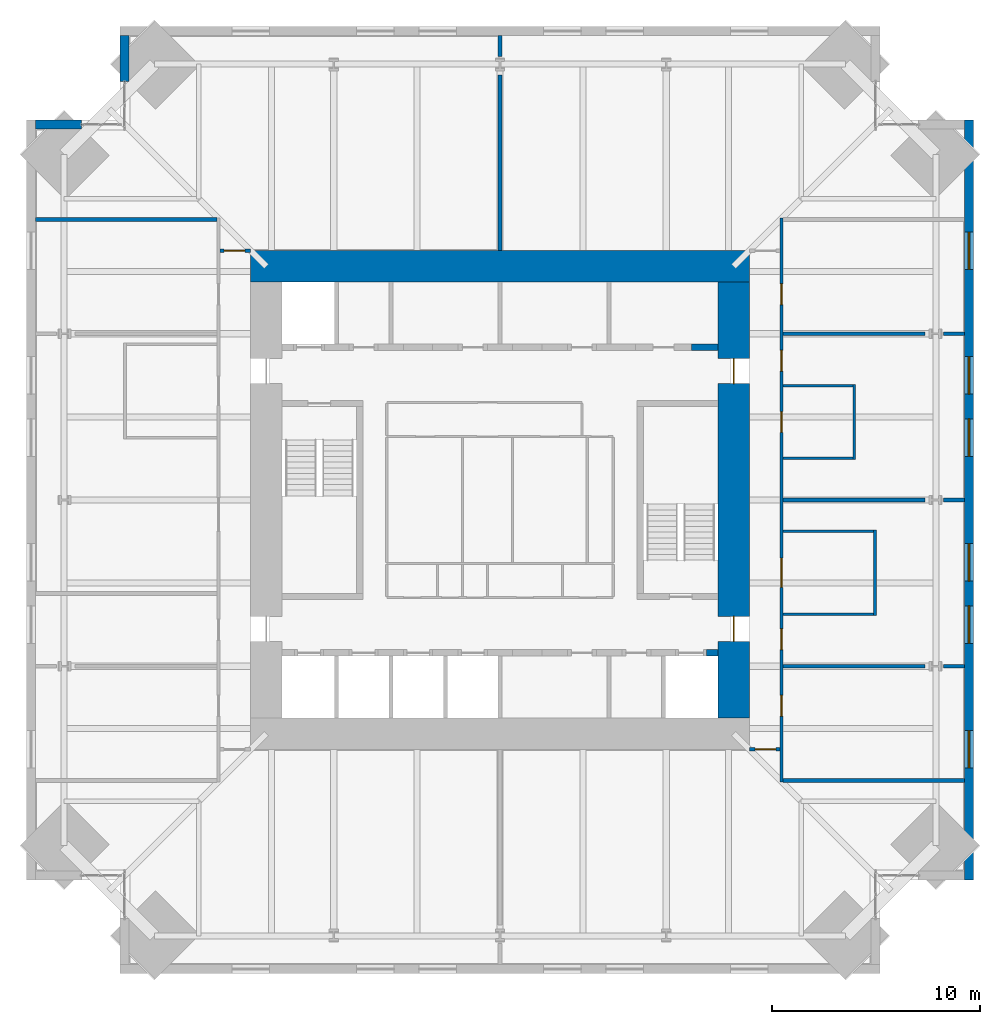
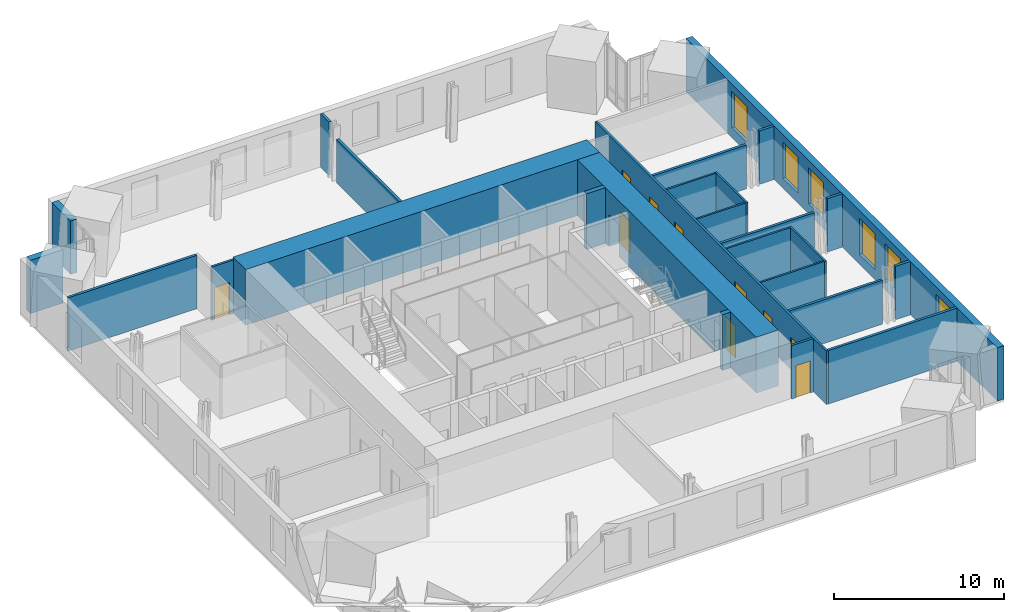
# One storey, part 13 of 15: 26 walls, 10 doors, 6 windows, 16 openings.
"""IFC4 building model written with IfcOpenShell, lengths in metres."""

from ifc_helpers import new_model, si_unit, direction, frame, frame_2d, origin, place, context, subcontext, project, spatial, rectangle, extrude, material, layer, layer_set, type_object, element, fill, save


model = new_model("IFC4")

# Units and contexts
model_context = context("Model", 3, precision=1e-05, world=origin(), true_north=direction((0.0, 1.0)))
body_context = subcontext(model_context, "Body", "Model", "MODEL_VIEW")
ifc_project = project(units=[si_unit("LENGTHUNIT", "METRE"), si_unit("AREAUNIT", "SQUARE_METRE"), si_unit("VOLUMEUNIT", "CUBIC_METRE"), si_unit("PLANEANGLEUNIT", "RADIAN"), si_unit("MASSUNIT", "GRAM", prefix="KILO")], contexts=[model_context])

# Site, building, storey
site_placement = place(None, origin())
site = spatial("IfcSite", under=ifc_project, at=site_placement, CompositionType="ELEMENT")
building_placement = place(site_placement, origin())
building = spatial("IfcBuilding", under=site, at=building_placement, Name="Peilmerk Tower", CompositionType="ELEMENT")
storey_placement = place(building_placement, frame((0.0, 0.0, 245.800048828125)))
storey = spatial("IfcBuildingStorey", under=building, at=storey_placement, Name="L54", CompositionType="ELEMENT", Elevation=245.800048828125)

# Wall, openings, windows
ifc_material_1 = material(Name="Precast concrete C45/55, board-marked finish", Category="concrete")
ifc_layer_1 = layer(ifc_material_1, 0.449951171875)
ifc_layer_set_1 = layer_set([ifc_layer_1], Name="Precast concrete C45/55, board-marked finish")
wall_type_1 = type_object("IfcWallType", Name="EW1 450 precast concrete facade wall, board-marked", PredefinedType="SOLIDWALL", material=ifc_layer_set_1)
wall_1_placement = place(storey_placement, frame((22.574951171875, -18.300048828125, 0.0), z_axis=(0.0, 0.0, 1.0), x_axis=(0.0, 1.0, 0.0)))
wall_1 = element("IfcWall", 1, at=wall_1_placement, inside=storey, type_object=wall_type_1, Name="Facade wall E L54", PredefinedType="SOLIDWALL", context=body_context, shape_type="SweptSolid", body=[
    extrude(rectangle(XDim=36.60009765625, YDim=0.449951171875, at=frame_2d((18.300048828125, 0.0))), origin(), (0.0, 0.0, 1.0), 3.829833984375),
])
opening_1_placement = place(wall_1_placement, frame((5.39990234375, 0.0, 0.699951171875)))
opening_1 = element("IfcOpeningElement", 2, at=opening_1_placement, cuts=wall_1, Name="Opening W1", PredefinedType="OPENING", context=body_context, shape_type="SweptSolid", body=[
    extrude(rectangle(XDim=1.800048828125, YDim=2.60009765625, at=frame_2d((0.89990234375, 1.300048828125))), frame((0.0, 0.23486328125, 0.0), z_axis=(0.0, -1.0, 0.0), x_axis=(1.0, 0.0, 0.0)), (0.0, 0.0, 1.0), 0.469970703125),
])
opening_2_placement = place(wall_1_placement, frame((11.39990234375, 0.0, 0.699951171875)))
opening_2 = element("IfcOpeningElement", 3, at=opening_2_placement, cuts=wall_1, Name="Opening W1", PredefinedType="OPENING", context=body_context, shape_type="SweptSolid", body=[
    extrude(rectangle(XDim=1.800048828125, YDim=2.60009765625, at=frame_2d((0.89990234375, 1.300048828125))), frame((0.0, 0.23486328125, 0.0), z_axis=(0.0, -1.0, 0.0), x_axis=(1.0, 0.0, 0.0)), (0.0, 0.0, 1.0), 0.469970703125),
])
opening_3_placement = place(wall_1_placement, frame((14.39990234375, 0.0, 0.699951171875)))
opening_3 = element("IfcOpeningElement", 4, at=opening_3_placement, cuts=wall_1, Name="Opening W1", PredefinedType="OPENING", context=body_context, shape_type="SweptSolid", body=[
    extrude(rectangle(XDim=1.800048828125, YDim=2.60009765625, at=frame_2d((0.89990234375, 1.300048828125))), frame((0.0, 0.23486328125, 0.0), z_axis=(0.0, -1.0, 0.0), x_axis=(1.0, 0.0, 0.0)), (0.0, 0.0, 1.0), 0.469970703125),
])
opening_4_placement = place(wall_1_placement, frame((20.39990234375, 0.0, 0.699951171875)))
opening_4 = element("IfcOpeningElement", 5, at=opening_4_placement, cuts=wall_1, Name="Opening W1", PredefinedType="OPENING", context=body_context, shape_type="SweptSolid", body=[
    extrude(rectangle(XDim=1.800048828125, YDim=2.60009765625, at=frame_2d((0.89990234375, 1.300048828125))), frame((0.0, 0.23486328125, 0.0), z_axis=(0.0, -1.0, 0.0), x_axis=(1.0, 0.0, 0.0)), (0.0, 0.0, 1.0), 0.469970703125),
])
opening_5_placement = place(wall_1_placement, frame((23.39990234375, 0.0, 0.699951171875)))
opening_5 = element("IfcOpeningElement", 6, at=opening_5_placement, cuts=wall_1, Name="Opening W1", PredefinedType="OPENING", context=body_context, shape_type="SweptSolid", body=[
    extrude(rectangle(XDim=1.800048828125, YDim=2.60009765625, at=frame_2d((0.89990234375, 1.300048828125))), frame((0.0, 0.23486328125, 0.0), z_axis=(0.0, -1.0, 0.0), x_axis=(1.0, 0.0, 0.0)), (0.0, 0.0, 1.0), 0.469970703125),
])
opening_6_placement = place(wall_1_placement, frame((29.39990234375, 0.0, 0.699951171875)))
opening_6 = element("IfcOpeningElement", 7, at=opening_6_placement, cuts=wall_1, Name="Opening W1", PredefinedType="OPENING", context=body_context, shape_type="SweptSolid", body=[
    extrude(rectangle(XDim=1.800048828125, YDim=2.60009765625, at=frame_2d((0.89990234375, 1.300048828125))), frame((0.0, 0.23486328125, 0.0), z_axis=(0.0, -1.0, 0.0), x_axis=(1.0, 0.0, 0.0)), (0.0, 0.0, 1.0), 0.469970703125),
])
ifc_material_2 = material(Name="Aluminium frame, clear double glazing", Category="aluminium")
window_type = type_object("IfcWindowType", Name="W1 1800x2600 office window", PartitioningType="SINGLE_PANEL", PredefinedType="WINDOW", material=ifc_material_2)
window_1_placement = place(opening_1_placement, origin())
window_1 = element("IfcWindow", 8, at=window_1_placement, inside=storey, type_object=window_type, Name="Window W1 L54", OverallHeight=2.60009765625, OverallWidth=1.800048828125, PartitioningType="SINGLE_PANEL", PredefinedType="WINDOW", context=body_context, shape_type="SweptSolid", body=[
    extrude(rectangle(XDim=1.800048828125, YDim=2.60009765625, at=frame_2d((0.89990234375, 1.300048828125))), frame((0.0, 0.030029296875, 0.0), z_axis=(0.0, -1.0, 0.0), x_axis=(1.0, 0.0, 0.0)), (0.0, 0.0, 1.0), 0.06005859375),
])
fill(opening_1, window_1)
window_2_placement = place(opening_2_placement, origin())
window_2 = element("IfcWindow", 9, at=window_2_placement, inside=storey, type_object=window_type, Name="Window W1 L54", OverallHeight=2.60009765625, OverallWidth=1.800048828125, PartitioningType="SINGLE_PANEL", PredefinedType="WINDOW", context=body_context, shape_type="SweptSolid", body=[
    extrude(rectangle(XDim=1.800048828125, YDim=2.60009765625, at=frame_2d((0.89990234375, 1.300048828125))), frame((0.0, 0.030029296875, 0.0), z_axis=(0.0, -1.0, 0.0), x_axis=(1.0, 0.0, 0.0)), (0.0, 0.0, 1.0), 0.06005859375),
])
fill(opening_2, window_2)
window_3_placement = place(opening_3_placement, origin())
window_3 = element("IfcWindow", 10, at=window_3_placement, inside=storey, type_object=window_type, Name="Window W1 L54", OverallHeight=2.60009765625, OverallWidth=1.800048828125, PartitioningType="SINGLE_PANEL", PredefinedType="WINDOW", context=body_context, shape_type="SweptSolid", body=[
    extrude(rectangle(XDim=1.800048828125, YDim=2.60009765625, at=frame_2d((0.89990234375, 1.300048828125))), frame((0.0, 0.030029296875, 0.0), z_axis=(0.0, -1.0, 0.0), x_axis=(1.0, 0.0, 0.0)), (0.0, 0.0, 1.0), 0.06005859375),
])
fill(opening_3, window_3)
window_4_placement = place(opening_4_placement, origin())
window_4 = element("IfcWindow", 11, at=window_4_placement, inside=storey, type_object=window_type, Name="Window W1 L54", OverallHeight=2.60009765625, OverallWidth=1.800048828125, PartitioningType="SINGLE_PANEL", PredefinedType="WINDOW", context=body_context, shape_type="SweptSolid", body=[
    extrude(rectangle(XDim=1.800048828125, YDim=2.60009765625, at=frame_2d((0.89990234375, 1.300048828125))), frame((0.0, 0.030029296875, 0.0), z_axis=(0.0, -1.0, 0.0), x_axis=(1.0, 0.0, 0.0)), (0.0, 0.0, 1.0), 0.06005859375),
])
fill(opening_4, window_4)
window_5_placement = place(opening_5_placement, origin())
window_5 = element("IfcWindow", 12, at=window_5_placement, inside=storey, type_object=window_type, Name="Window W1 L54", OverallHeight=2.60009765625, OverallWidth=1.800048828125, PartitioningType="SINGLE_PANEL", PredefinedType="WINDOW", context=body_context, shape_type="SweptSolid", body=[
    extrude(rectangle(XDim=1.800048828125, YDim=2.60009765625, at=frame_2d((0.89990234375, 1.300048828125))), frame((0.0, 0.030029296875, 0.0), z_axis=(0.0, -1.0, 0.0), x_axis=(1.0, 0.0, 0.0)), (0.0, 0.0, 1.0), 0.06005859375),
])
fill(opening_5, window_5)
window_6_placement = place(opening_6_placement, origin())
window_6 = element("IfcWindow", 13, at=window_6_placement, inside=storey, type_object=window_type, Name="Window W1 L54", OverallHeight=2.60009765625, OverallWidth=1.800048828125, PartitioningType="SINGLE_PANEL", PredefinedType="WINDOW", context=body_context, shape_type="SweptSolid", body=[
    extrude(rectangle(XDim=1.800048828125, YDim=2.60009765625, at=frame_2d((0.89990234375, 1.300048828125))), frame((0.0, 0.030029296875, 0.0), z_axis=(0.0, -1.0, 0.0), x_axis=(1.0, 0.0, 0.0)), (0.0, 0.0, 1.0), 0.06005859375),
])
fill(opening_6, window_6)

# Walls
for number, where, z_axis, x_axis, name in (
    (14, (-18.074951171875, 20.153564453125, 0.0), (0.0, 0.0, 1.0), (0.0, 1.0, 0.0), "Facade wall NWA L54"),
    (15, (-20.153564453125, 18.074951171875, 0.0), (0.0, 0.0, 1.0), (-1.0, 0.0, 0.0), "Facade wall NWB L54"),
):
    element("IfcWall", number, at=place(storey_placement, frame(where, z_axis=z_axis, x_axis=x_axis)), inside=storey, type_object=wall_type_1, Name=name, PredefinedType="SOLIDWALL", context=body_context, shape_type="SweptSolid", body=[
        extrude(rectangle(XDim=2.196533203125, YDim=0.449951171875, at=frame_2d((1.09814453125, 0.0))), origin(), (0.0, 0.0, 1.0), 3.829833984375),
    ])

# Wall, openings, doors
ifc_material_3 = material(Name="Calcium silicate block", Category="masonry")
ifc_layer_2 = layer(ifc_material_3, 0.14990234375)
ifc_layer_set_2 = layer_set([ifc_layer_2], Name="Calcium silicate block")
wall_type_2 = type_object("IfcWallType", Name="IW1 150 corridor partition, EI 60", PredefinedType="PARTITIONING", material=ifc_layer_set_2)
wall_2_placement = place(storey_placement, frame((13.550048828125, -13.574951171875, 0.0), z_axis=(0.0, 0.0, 1.0), x_axis=(0.0, 1.0, 0.0)))
wall_2 = element("IfcWall", 16, at=wall_2_placement, inside=storey, type_object=wall_type_2, Name="Corridor wall E L54", PredefinedType="PARTITIONING", context=body_context, shape_type="SweptSolid", body=[
    extrude(rectangle(XDim=27.14990234375, YDim=0.14990234375, at=frame_2d((13.574951171875, 0.0))), origin(), (0.0, 0.0, 1.0), 3.829833984375),
])
opening_7_placement = place(wall_2_placement, frame((3.175048828125, 0.0, 0.0)))
opening_7 = element("IfcOpeningElement", 17, at=opening_7_placement, cuts=wall_2, Name="Opening D1", PredefinedType="OPENING", context=body_context, shape_type="SweptSolid", body=[
    extrude(rectangle(XDim=1.0, YDim=2.300048828125, at=frame_2d((0.5, 1.14990234375))), frame((0.0, 0.0849609375, 0.0), z_axis=(0.0, -1.0, 0.0), x_axis=(1.0, 0.0, 0.0)), (0.0, 0.0, 1.0), 0.169921875),
])
opening_8_placement = place(wall_2_placement, frame((6.375, 0.0, 0.0)))
opening_8 = element("IfcOpeningElement", 18, at=opening_8_placement, cuts=wall_2, Name="Opening D1", PredefinedType="OPENING", context=body_context, shape_type="SweptSolid", body=[
    extrude(rectangle(XDim=1.0, YDim=2.300048828125, at=frame_2d((0.5, 1.14990234375))), frame((0.0, 0.0849609375, 0.0), z_axis=(0.0, -1.0, 0.0), x_axis=(1.0, 0.0, 0.0)), (0.0, 0.0, 1.0), 0.169921875),
])
opening_9_placement = place(wall_2_placement, frame((19.77490234375, 0.0, 0.0)))
opening_9 = element("IfcOpeningElement", 19, at=opening_9_placement, cuts=wall_2, Name="Opening D1", PredefinedType="OPENING", context=body_context, shape_type="SweptSolid", body=[
    extrude(rectangle(XDim=1.0, YDim=2.300048828125, at=frame_2d((0.5, 1.14990234375))), frame((0.0, 0.0849609375, 0.0), z_axis=(0.0, -1.0, 0.0), x_axis=(1.0, 0.0, 0.0)), (0.0, 0.0, 1.0), 0.169921875),
])
opening_10_placement = place(wall_2_placement, frame((22.97509765625, 0.0, 0.0)))
opening_10 = element("IfcOpeningElement", 20, at=opening_10_placement, cuts=wall_2, Name="Opening D1", PredefinedType="OPENING", context=body_context, shape_type="SweptSolid", body=[
    extrude(rectangle(XDim=1.0, YDim=2.300048828125, at=frame_2d((0.5, 1.14990234375))), frame((0.0, 0.0849609375, 0.0), z_axis=(0.0, -1.0, 0.0), x_axis=(1.0, 0.0, 0.0)), (0.0, 0.0, 1.0), 0.169921875),
])
opening_11_placement = place(wall_2_placement, frame((16.824951171875, 0.0, 0.0)))
opening_11 = element("IfcOpeningElement", 21, at=opening_11_placement, cuts=wall_2, Name="Opening D1", PredefinedType="OPENING", context=body_context, shape_type="SweptSolid", body=[
    extrude(rectangle(XDim=1.0, YDim=2.300048828125, at=frame_2d((0.5, 1.14990234375))), frame((0.0, 0.0849609375, 0.0), z_axis=(0.0, -1.0, 0.0), x_axis=(1.0, 0.0, 0.0)), (0.0, 0.0, 1.0), 0.169921875),
])
opening_12_placement = place(wall_2_placement, frame((9.375, 0.0, 0.0)))
opening_12 = element("IfcOpeningElement", 22, at=opening_12_placement, cuts=wall_2, Name="Opening D8", PredefinedType="OPENING", context=body_context, shape_type="SweptSolid", body=[
    extrude(rectangle(XDim=1.39990234375, YDim=2.300048828125, at=frame_2d((0.699951171875, 1.14990234375))), frame((0.0, 0.0849609375, 0.0), z_axis=(0.0, -1.0, 0.0), x_axis=(1.0, 0.0, 0.0)), (0.0, 0.0, 1.0), 0.169921875),
])
ifc_material_4 = material(Name="Timber door in steel frame", Category="steel")
door_type_1 = type_object("IfcDoorType", Name="D1 1000x2300 room door, EI2 30", OperationType="SINGLE_SWING_LEFT", PredefinedType="DOOR", material=ifc_material_4)
door_1_placement = place(opening_7_placement, frame((1.0, 0.0, 0.0), z_axis=(0.0, 0.0, 1.0), x_axis=(-1.0, 0.0, 0.0)))
door_1 = element("IfcDoor", 23, at=door_1_placement, inside=storey, type_object=door_type_1, Name="Door Office L54", OperationType="SINGLE_SWING_LEFT", OverallHeight=2.300048828125, OverallWidth=1.0, PredefinedType="DOOR", context=body_context, shape_type="SweptSolid", body=[
    extrude(rectangle(XDim=1.0, YDim=2.300048828125, at=frame_2d((0.5, 1.14990234375))), frame((0.0, 0.02490234375, 0.0), z_axis=(0.0, -1.0, 0.0), x_axis=(1.0, 0.0, 0.0)), (0.0, 0.0, 1.0), 0.050048828125),
])
fill(opening_7, door_1)
door_2_placement = place(opening_8_placement, frame((1.0, 0.0, 0.0), z_axis=(0.0, 0.0, 1.0), x_axis=(-1.0, 0.0, 0.0)))
door_2 = element("IfcDoor", 24, at=door_2_placement, inside=storey, type_object=door_type_1, Name="Door Office L54", OperationType="SINGLE_SWING_LEFT", OverallHeight=2.300048828125, OverallWidth=1.0, PredefinedType="DOOR", context=body_context, shape_type="SweptSolid", body=[
    extrude(rectangle(XDim=1.0, YDim=2.300048828125, at=frame_2d((0.5, 1.14990234375))), frame((0.0, 0.02490234375, 0.0), z_axis=(0.0, -1.0, 0.0), x_axis=(1.0, 0.0, 0.0)), (0.0, 0.0, 1.0), 0.050048828125),
])
fill(opening_8, door_2)
door_3_placement = place(opening_9_placement, frame((1.0, 0.0, 0.0), z_axis=(0.0, 0.0, 1.0), x_axis=(-1.0, 0.0, 0.0)))
door_3 = element("IfcDoor", 25, at=door_3_placement, inside=storey, type_object=door_type_1, Name="Door Office L54", OperationType="SINGLE_SWING_LEFT", OverallHeight=2.300048828125, OverallWidth=1.0, PredefinedType="DOOR", context=body_context, shape_type="SweptSolid", body=[
    extrude(rectangle(XDim=1.0, YDim=2.300048828125, at=frame_2d((0.5, 1.14990234375))), frame((0.0, 0.02490234375, 0.0), z_axis=(0.0, -1.0, 0.0), x_axis=(1.0, 0.0, 0.0)), (0.0, 0.0, 1.0), 0.050048828125),
])
fill(opening_9, door_3)
door_4_placement = place(opening_10_placement, frame((1.0, 0.0, 0.0), z_axis=(0.0, 0.0, 1.0), x_axis=(-1.0, 0.0, 0.0)))
door_4 = element("IfcDoor", 26, at=door_4_placement, inside=storey, type_object=door_type_1, Name="Door Meeting room L54", OperationType="SINGLE_SWING_LEFT", OverallHeight=2.300048828125, OverallWidth=1.0, PredefinedType="DOOR", context=body_context, shape_type="SweptSolid", body=[
    extrude(rectangle(XDim=1.0, YDim=2.300048828125, at=frame_2d((0.5, 1.14990234375))), frame((0.0, 0.02490234375, 0.0), z_axis=(0.0, -1.0, 0.0), x_axis=(1.0, 0.0, 0.0)), (0.0, 0.0, 1.0), 0.050048828125),
])
fill(opening_10, door_4)
door_5_placement = place(opening_11_placement, frame((1.0, 0.0, 0.0), z_axis=(0.0, 0.0, 1.0), x_axis=(-1.0, 0.0, 0.0)))
door_5 = element("IfcDoor", 27, at=door_5_placement, inside=storey, type_object=door_type_1, Name="Door Pantry L54", OperationType="SINGLE_SWING_LEFT", OverallHeight=2.300048828125, OverallWidth=1.0, PredefinedType="DOOR", context=body_context, shape_type="SweptSolid", body=[
    extrude(rectangle(XDim=1.0, YDim=2.300048828125, at=frame_2d((0.5, 1.14990234375))), frame((0.0, 0.02490234375, 0.0), z_axis=(0.0, -1.0, 0.0), x_axis=(1.0, 0.0, 0.0)), (0.0, 0.0, 1.0), 0.050048828125),
])
fill(opening_11, door_5)
door_type_2 = type_object("IfcDoorType", Name="D8 1400x2300 leaf-and-a-half door, EI2 30", OperationType="DOUBLE_DOOR_SINGLE_SWING", PredefinedType="DOOR", material=ifc_material_4)
door_6_placement = place(opening_12_placement, frame((1.39990234375, 0.0, 0.0), z_axis=(0.0, 0.0, 1.0), x_axis=(-1.0, 0.0, 0.0)))
door_6 = element("IfcDoor", 28, at=door_6_placement, inside=storey, type_object=door_type_2, Name="Door Briefing room L54", OperationType="DOUBLE_DOOR_SINGLE_SWING", OverallHeight=2.300048828125, OverallWidth=1.39990234375, PredefinedType="DOOR", context=body_context, shape_type="SweptSolid", body=[
    extrude(rectangle(XDim=1.39990234375, YDim=2.300048828125, at=frame_2d((0.699951171875, 1.14990234375))), frame((0.0, 0.02490234375, 0.0), z_axis=(0.0, -1.0, 0.0), x_axis=(1.0, 0.0, 0.0)), (0.0, 0.0, 1.0), 0.050048828125),
])
fill(opening_12, door_6)

# Wall, opening, door
wall_3_placement = place(storey_placement, frame((-13.47509765625, 12.0, 0.0), z_axis=(0.0, 0.0, 1.0), x_axis=(1.0, 0.0, 0.0)))
wall_3 = element("IfcWall", 29, at=wall_3_placement, inside=storey, type_object=wall_type_2, Name="Corridor wall NW L54", PredefinedType="PARTITIONING", context=body_context, shape_type="SweptSolid", body=[
    extrude(rectangle(XDim=1.47509765625, YDim=0.14990234375, at=frame_2d((0.737548828125, 0.0))), origin(), (0.0, 0.0, 1.0), 3.829833984375),
])
opening_13_placement = place(wall_3_placement, frame((0.199951171875, 0.0, 0.0)))
opening_13 = element("IfcOpeningElement", 30, at=opening_13_placement, cuts=wall_3, Name="Opening D1", PredefinedType="OPENING", context=body_context, shape_type="SweptSolid", body=[
    extrude(rectangle(XDim=1.0, YDim=2.300048828125, at=frame_2d((0.5, 1.14990234375))), frame((0.0, 0.0849609375, 0.0), z_axis=(0.0, -1.0, 0.0), x_axis=(1.0, 0.0, 0.0)), (0.0, 0.0, 1.0), 0.169921875),
])
door_7_placement = place(opening_13_placement, origin())
door_7 = element("IfcDoor", 31, at=door_7_placement, inside=storey, type_object=door_type_1, Name="Door Client suite L54", OperationType="SINGLE_SWING_LEFT", OverallHeight=2.300048828125, OverallWidth=1.0, PredefinedType="DOOR", context=body_context, shape_type="SweptSolid", body=[
    extrude(rectangle(XDim=1.0, YDim=2.300048828125, at=frame_2d((0.5, 1.14990234375))), frame((0.0, 0.02490234375, 0.0), z_axis=(0.0, -1.0, 0.0), x_axis=(1.0, 0.0, 0.0)), (0.0, 0.0, 1.0), 0.050048828125),
])
fill(opening_13, door_7)

wall_4_placement = place(storey_placement, frame((13.47509765625, -12.0, 0.0), z_axis=(0.0, 0.0, 1.0), x_axis=(-1.0, 0.0, 0.0)))
wall_4 = element("IfcWall", 32, at=wall_4_placement, inside=storey, type_object=wall_type_2, Name="Corridor wall SE L54", PredefinedType="PARTITIONING", context=body_context, shape_type="SweptSolid", body=[
    extrude(rectangle(XDim=1.47509765625, YDim=0.14990234375, at=frame_2d((0.737548828125, 0.0))), origin(), (0.0, 0.0, 1.0), 3.829833984375),
])
opening_14_placement = place(wall_4_placement, frame((0.199951171875, 0.0, 0.0)))
opening_14 = element("IfcOpeningElement", 33, at=opening_14_placement, cuts=wall_4, Name="Opening D1", PredefinedType="OPENING", context=body_context, shape_type="SweptSolid", body=[
    extrude(rectangle(XDim=1.0, YDim=2.300048828125, at=frame_2d((0.5, 1.14990234375))), frame((0.0, 0.0849609375, 0.0), z_axis=(0.0, -1.0, 0.0), x_axis=(1.0, 0.0, 0.0)), (0.0, 0.0, 1.0), 0.169921875),
])
door_8_placement = place(opening_14_placement, origin())
door_8 = element("IfcDoor", 34, at=door_8_placement, inside=storey, type_object=door_type_1, Name="Door Open workspace L54", OperationType="SINGLE_SWING_LEFT", OverallHeight=2.300048828125, OverallWidth=1.0, PredefinedType="DOOR", context=body_context, shape_type="SweptSolid", body=[
    extrude(rectangle(XDim=1.0, YDim=2.300048828125, at=frame_2d((0.5, 1.14990234375))), frame((0.0, 0.02490234375, 0.0), z_axis=(0.0, -1.0, 0.0), x_axis=(1.0, 0.0, 0.0)), (0.0, 0.0, 1.0), 0.050048828125),
])
fill(opening_14, door_8)

# Walls
ifc_material_5 = material(Name="Plasterboard on steel studs, double boarded with mineral wool", Category="steel")
ifc_layer_3 = layer(ifc_material_5, 0.125)
ifc_layer_set_3 = layer_set([ifc_layer_3], Name="Plasterboard on steel studs, double boarded with mineral wool")
wall_type_3 = type_object("IfcWallType", Name="IW7 125 acoustic partition, EI 30", PredefinedType="PARTITIONING", material=ifc_layer_set_3)
wall_5_placement = place(storey_placement, frame((17.050048828125, 1.9375, 0.0), z_axis=(0.0, 0.0, 1.0), x_axis=(0.0, 1.0, 0.0)))
element("IfcWall", 35, at=wall_5_placement, inside=storey, type_object=wall_type_3, Name="Acoustic partition Pantry L54", PredefinedType="PARTITIONING", context=body_context, shape_type="SweptSolid", body=[
    extrude(rectangle(XDim=3.625, YDim=0.125, at=frame_2d((1.8125, 0.0))), origin(), (0.0, 0.0, 1.0), 3.829833984375),
])
for number, where, z_axis, x_axis, name in (
    (36, (13.625, 2.0, 0.0), (0.0, 0.0, 1.0), (1.0, 0.0, 0.0), "Acoustic partition Pantry L54"),
    (37, (13.625, 5.5, 0.0), (0.0, 0.0, 1.0), (1.0, 0.0, 0.0), "Acoustic partition Pantry L54"),
):
    element("IfcWall", number, at=place(storey_placement, frame(where, z_axis=z_axis, x_axis=x_axis)), inside=storey, type_object=wall_type_3, Name=name, PredefinedType="PARTITIONING", context=body_context, shape_type="SweptSolid", body=[
        extrude(rectangle(XDim=3.362548828125, YDim=0.125, at=frame_2d((1.68115234375, 0.0))), origin(), (0.0, 0.0, 1.0), 3.829833984375),
    ])
wall_6_placement = place(storey_placement, frame((18.050048828125, -5.5625, 0.0), z_axis=(0.0, 0.0, 1.0), x_axis=(0.0, 1.0, 0.0)))
element("IfcWall", 38, at=wall_6_placement, inside=storey, type_object=wall_type_3, Name="Acoustic partition Briefing room L54", PredefinedType="PARTITIONING", context=body_context, shape_type="SweptSolid", body=[
    extrude(rectangle(XDim=4.125, YDim=0.125, at=frame_2d((2.0625, 0.0))), origin(), (0.0, 0.0, 1.0), 3.829833984375),
])
for number, where, z_axis, x_axis, name in (
    (39, (13.625, -5.5, 0.0), (0.0, 0.0, 1.0), (1.0, 0.0, 0.0), "Acoustic partition Briefing room L54"),
    (40, (13.625, -1.5, 0.0), (0.0, 0.0, 1.0), (1.0, 0.0, 0.0), "Acoustic partition Briefing room L54"),
):
    element("IfcWall", number, at=place(storey_placement, frame(where, z_axis=z_axis, x_axis=x_axis)), inside=storey, type_object=wall_type_3, Name=name, PredefinedType="PARTITIONING", context=body_context, shape_type="SweptSolid", body=[
        extrude(rectangle(XDim=4.362548828125, YDim=0.125, at=frame_2d((2.18115234375, 0.0))), origin(), (0.0, 0.0, 1.0), 3.829833984375),
    ])
ifc_layer_4 = layer(ifc_material_3, 0.175048828125)
ifc_layer_set_4 = layer_set([ifc_layer_4], Name="Calcium silicate block")
wall_type_4 = type_object("IfcWallType", Name="IW8 175 tenant separating wall, EI 60", PredefinedType="PARTITIONING", material=ifc_layer_set_4)
for number, where, z_axis, x_axis, name in (
    (41, (-22.35009765625, 13.5, 0.0), (0.0, 0.0, 1.0), (1.0, 0.0, 0.0), "Tenant separating wall NW L54"),
    (42, (22.35009765625, -13.5, 0.0), (0.0, 0.0, 1.0), (-1.0, 0.0, 0.0), "Tenant separating wall SE L54"),
):
    element("IfcWall", number, at=place(storey_placement, frame(where, z_axis=z_axis, x_axis=x_axis)), inside=storey, type_object=wall_type_4, Name=name, PredefinedType="PARTITIONING", context=body_context, shape_type="SweptSolid", body=[
        extrude(rectangle(XDim=8.72509765625, YDim=0.175048828125, at=frame_2d((4.362548828125, 0.0))), origin(), (0.0, 0.0, 1.0), 3.829833984375),
    ])
wall_7_placement = place(storey_placement, frame((0.0, 12.0, 0.0), z_axis=(0.0, 0.0, 1.0), x_axis=(0.0, 1.0, 0.0)))
element("IfcWall", 43, at=wall_7_placement, inside=storey, type_object=wall_type_4, Name="Tenant separating wall N1 L54", PredefinedType="PARTITIONING", context=body_context, shape_type="SweptSolid", body=[
    extrude(rectangle(XDim=8.460205078125, YDim=0.175048828125, at=frame_2d((4.22998046875, 0.0))), origin(), (0.0, 0.0, 1.0), 3.139892578125),
])
wall_8_placement = place(storey_placement, frame((0.0, 21.349365234375, 0.0), z_axis=(0.0, 0.0, 1.0), x_axis=(0.0, 1.0, 0.0)))
element("IfcWall", 44, at=wall_8_placement, inside=storey, type_object=wall_type_4, Name="Tenant separating wall N1b L54", PredefinedType="PARTITIONING", context=body_context, shape_type="SweptSolid", body=[
    extrude(rectangle(XDim=1.000732421875, YDim=0.175048828125, at=frame_2d((0.50048828125, 0.0))), origin(), (0.0, 0.0, 1.0), 3.829833984375),
])
wall_9_placement = place(storey_placement, frame((13.625, -8.0, 0.0), z_axis=(0.0, 0.0, 1.0), x_axis=(1.0, 0.0, 0.0)))
element("IfcWall", 45, at=wall_9_placement, inside=storey, type_object=wall_type_4, Name="Tenant separating wall E1 L54", PredefinedType="PARTITIONING", context=body_context, shape_type="SweptSolid", body=[
    extrude(rectangle(XDim=6.835205078125, YDim=0.175048828125, at=frame_2d((3.41748046875, 0.0))), origin(), (0.0, 0.0, 1.0), 3.139892578125),
])
wall_10_placement = place(storey_placement, frame((21.349365234375, -8.0, 0.0), z_axis=(0.0, 0.0, 1.0), x_axis=(1.0, 0.0, 0.0)))
element("IfcWall", 46, at=wall_10_placement, inside=storey, type_object=wall_type_4, Name="Tenant separating wall E1b L54", PredefinedType="PARTITIONING", context=body_context, shape_type="SweptSolid", body=[
    extrude(rectangle(XDim=1.000732421875, YDim=0.175048828125, at=frame_2d((0.50048828125, 0.0))), origin(), (0.0, 0.0, 1.0), 3.829833984375),
])
wall_11_placement = place(storey_placement, frame((13.625, 0.0, 0.0), z_axis=(0.0, 0.0, 1.0), x_axis=(1.0, 0.0, 0.0)))
element("IfcWall", 47, at=wall_11_placement, inside=storey, type_object=wall_type_4, Name="Tenant separating wall E2 L54", PredefinedType="PARTITIONING", context=body_context, shape_type="SweptSolid", body=[
    extrude(rectangle(XDim=6.835205078125, YDim=0.175048828125, at=frame_2d((3.41748046875, 0.0))), origin(), (0.0, 0.0, 1.0), 3.139892578125),
])
wall_12_placement = place(storey_placement, frame((21.349365234375, 0.0, 0.0), z_axis=(0.0, 0.0, 1.0), x_axis=(1.0, 0.0, 0.0)))
element("IfcWall", 48, at=wall_12_placement, inside=storey, type_object=wall_type_4, Name="Tenant separating wall E2b L54", PredefinedType="PARTITIONING", context=body_context, shape_type="SweptSolid", body=[
    extrude(rectangle(XDim=1.000732421875, YDim=0.175048828125, at=frame_2d((0.50048828125, 0.0))), origin(), (0.0, 0.0, 1.0), 3.829833984375),
])
wall_13_placement = place(storey_placement, frame((13.625, 8.0, 0.0), z_axis=(0.0, 0.0, 1.0), x_axis=(1.0, 0.0, 0.0)))
element("IfcWall", 49, at=wall_13_placement, inside=storey, type_object=wall_type_4, Name="Tenant separating wall E3 L54", PredefinedType="PARTITIONING", context=body_context, shape_type="SweptSolid", body=[
    extrude(rectangle(XDim=6.835205078125, YDim=0.175048828125, at=frame_2d((3.41748046875, 0.0))), origin(), (0.0, 0.0, 1.0), 3.139892578125),
])
wall_14_placement = place(storey_placement, frame((21.349365234375, 8.0, 0.0), z_axis=(0.0, 0.0, 1.0), x_axis=(1.0, 0.0, 0.0)))
element("IfcWall", 50, at=wall_14_placement, inside=storey, type_object=wall_type_4, Name="Tenant separating wall E3b L54", PredefinedType="PARTITIONING", context=body_context, shape_type="SweptSolid", body=[
    extrude(rectangle(XDim=1.000732421875, YDim=0.175048828125, at=frame_2d((0.50048828125, 0.0))), origin(), (0.0, 0.0, 1.0), 3.829833984375),
])
ifc_material_6 = material(Name="Concrete C55/67", Category="concrete")
ifc_layer_5 = layer(ifc_material_6, 1.5)
ifc_layer_set_5 = layer_set([ifc_layer_5], Name="Concrete C55/67")
wall_type_5 = type_object("IfcWallType", Name="SW1 1500 core wall", PredefinedType="SHEAR", material=ifc_layer_set_5)
wall_15_placement = place(storey_placement, frame((-12.0, 11.25, 0.0), z_axis=(0.0, 0.0, 1.0), x_axis=(1.0, 0.0, 0.0)))
element("IfcWall", 51, at=wall_15_placement, inside=storey, type_object=wall_type_5, Name="Core wall N L54", PredefinedType="SHEAR", context=body_context, shape_type="SweptSolid", body=[
    extrude(rectangle(XDim=24.0, YDim=1.5, at=frame_2d((12.0, 0.0))), origin(), (0.0, 0.0, 1.0), 4.0),
])

# Wall, openings, doors
wall_16_placement = place(storey_placement, frame((11.25, 10.5, 0.0), z_axis=(0.0, 0.0, 1.0), x_axis=(0.0, -1.0, 0.0)))
wall_16 = element("IfcWall", 52, at=wall_16_placement, inside=storey, type_object=wall_type_5, Name="Core wall E L54", PredefinedType="SHEAR", context=body_context, shape_type="SweptSolid", body=[
    extrude(rectangle(XDim=21.0, YDim=1.5, at=frame_2d((10.5, 0.0))), origin(), (0.0, 0.0, 1.0), 4.0),
])
opening_15_placement = place(wall_16_placement, frame((3.699951171875, 0.0, 0.0)))
opening_15 = element("IfcOpeningElement", 53, at=opening_15_placement, cuts=wall_16, Name="Opening D3", PredefinedType="OPENING", context=body_context, shape_type="SweptSolid", body=[
    extrude(rectangle(XDim=1.199951171875, YDim=2.300048828125, at=frame_2d((0.60009765625, 1.14990234375))), frame((0.0, 0.760009765625, 0.0), z_axis=(0.0, -1.0, 0.0), x_axis=(1.0, 0.0, 0.0)), (0.0, 0.0, 1.0), 1.52001953125),
])
opening_16_placement = place(wall_16_placement, frame((16.10009765625, 0.0, 0.0)))
opening_16 = element("IfcOpeningElement", 54, at=opening_16_placement, cuts=wall_16, Name="Opening D3", PredefinedType="OPENING", context=body_context, shape_type="SweptSolid", body=[
    extrude(rectangle(XDim=1.199951171875, YDim=2.300048828125, at=frame_2d((0.60009765625, 1.14990234375))), frame((0.0, 0.760009765625, 0.0), z_axis=(0.0, -1.0, 0.0), x_axis=(1.0, 0.0, 0.0)), (0.0, 0.0, 1.0), 1.52001953125),
])
ifc_material_7 = material(Name="Steel door in steel frame", Category="steel")
door_type_3 = type_object("IfcDoorType", Name="D3 1200x2300 core door, EI2 60", OperationType="SINGLE_SWING_LEFT", PredefinedType="DOOR", material=ifc_material_7)
door_9_placement = place(opening_15_placement, frame((1.199951171875, 0.0, 0.0), z_axis=(0.0, 0.0, 1.0), x_axis=(-1.0, 0.0, 0.0)))
door_9 = element("IfcDoor", 55, at=door_9_placement, inside=storey, type_object=door_type_3, Name="Core door L54", OperationType="SINGLE_SWING_LEFT", OverallHeight=2.300048828125, OverallWidth=1.199951171875, PredefinedType="DOOR", context=body_context, shape_type="SweptSolid", body=[
    extrude(rectangle(XDim=1.199951171875, YDim=2.300048828125, at=frame_2d((0.60009765625, 1.14990234375))), frame((0.0, 0.02490234375, 0.0), z_axis=(0.0, -1.0, 0.0), x_axis=(1.0, 0.0, 0.0)), (0.0, 0.0, 1.0), 0.050048828125),
])
fill(opening_15, door_9)
door_10_placement = place(opening_16_placement, frame((1.199951171875, 0.0, 0.0), z_axis=(0.0, 0.0, 1.0), x_axis=(-1.0, 0.0, 0.0)))
door_10 = element("IfcDoor", 56, at=door_10_placement, inside=storey, type_object=door_type_3, Name="Core door L54", OperationType="SINGLE_SWING_LEFT", OverallHeight=2.300048828125, OverallWidth=1.199951171875, PredefinedType="DOOR", context=body_context, shape_type="SweptSolid", body=[
    extrude(rectangle(XDim=1.199951171875, YDim=2.300048828125, at=frame_2d((0.60009765625, 1.14990234375))), frame((0.0, 0.02490234375, 0.0), z_axis=(0.0, -1.0, 0.0), x_axis=(1.0, 0.0, 0.0)), (0.0, 0.0, 1.0), 0.050048828125),
])
fill(opening_16, door_10)

# Walls
ifc_layer_6 = layer(ifc_material_6, 0.300048828125)
ifc_layer_set_6 = layer_set([ifc_layer_6], Name="Concrete C55/67")
wall_type_6 = type_object("IfcWallType", Name="SW2 300 lift bank pier", PredefinedType="SHEAR", material=ifc_layer_set_6)
wall_17_placement = place(storey_placement, frame((9.22509765625, 7.35009765625, 0.0), z_axis=(0.0, 0.0, 1.0), x_axis=(1.0, 0.0, 0.0)))
element("IfcWall", 57, at=wall_17_placement, inside=storey, type_object=wall_type_6, Name="Lift bank pier N L54", PredefinedType="SHEAR", context=body_context, shape_type="SweptSolid", body=[
    extrude(rectangle(XDim=1.27490234375, YDim=0.300048828125, at=frame_2d((0.637451171875, 0.0))), origin(), (0.0, 0.0, 1.0), 4.0),
])
wall_18_placement = place(storey_placement, frame((9.9375, -7.35009765625, 0.0), z_axis=(0.0, 0.0, 1.0), x_axis=(1.0, 0.0, 0.0)))
element("IfcWall", 58, at=wall_18_placement, inside=storey, type_object=wall_type_6, Name="Lift bank pier S L54", PredefinedType="SHEAR", context=body_context, shape_type="SweptSolid", body=[
    extrude(rectangle(XDim=0.5625, YDim=0.300048828125, at=frame_2d((0.28125, 0.0))), origin(), (0.0, 0.0, 1.0), 4.0),
])

save(model, "model.ifc")
